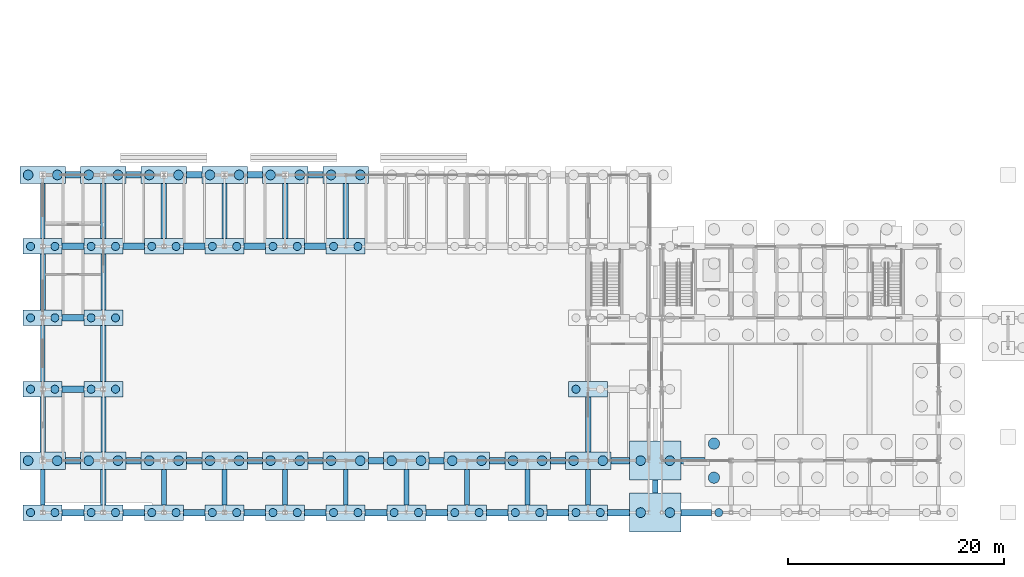
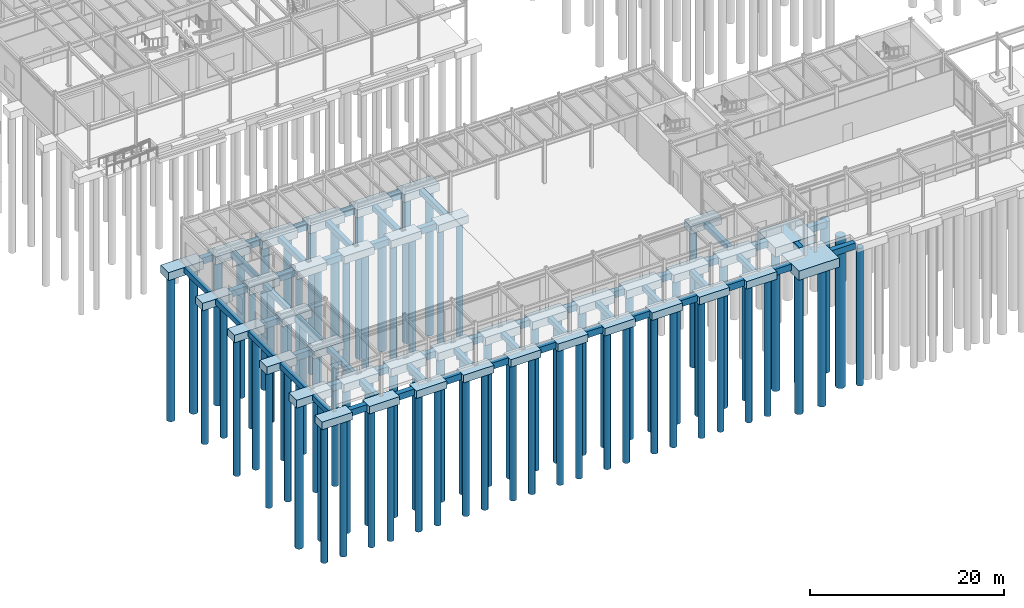
# One storey, part 1 of 82: 97 footings, 80 piles.
"""IFC4 building model written with IfcOpenShell, lengths in metres."""

from ifc_helpers import new_model, si_unit, direction, frame, origin, origin_2d, place, context, subcontext, project, spatial, rectangle, circle, extrude, material, material_profile, profile_set, type_object, element, save


model = new_model("IFC4")

# Units and contexts
model_context = context("Model", 3, precision=1e-05, world=origin(), true_north=direction((0.0, 1.0)))
body_context = subcontext(model_context, "Body", "Model", "MODEL_VIEW")
ifc_project = project(units=[si_unit("LENGTHUNIT", "METRE"), si_unit("AREAUNIT", "SQUARE_METRE"), si_unit("VOLUMEUNIT", "CUBIC_METRE"), si_unit("PLANEANGLEUNIT", "RADIAN"), si_unit("MASSUNIT", "GRAM", prefix="KILO")], contexts=[model_context])

# Site, building, storey
site_placement = place(None, origin())
site = spatial("IfcSite", under=ifc_project, at=site_placement, CompositionType="ELEMENT")
building_placement = place(site_placement, origin())
building = spatial("IfcBuilding", under=site, at=building_placement, Name="Trelmorton Wharf Fire Station", CompositionType="ELEMENT")
storey_placement = place(building_placement, origin())
storey = spatial("IfcBuildingStorey", under=building, at=storey_placement, Name="L00", CompositionType="ELEMENT", Elevation=0.0)

# Footings
ifc_material_1 = material(Name="Concrete 40 MPa", Category="concrete")
ifc_material_profile_1 = material_profile(ifc_material_1, rectangle(XDim=0.449951171875, YDim=0.64990234375, at=origin_2d()), Name="RC450x650")
ifc_profile_set_1 = profile_set([ifc_material_profile_1], Name="Concrete 40 MPa")
footing_type_1 = type_object("IfcFootingType", Name="GB_450x650", PredefinedType="FOOTING_BEAM", material=ifc_profile_set_1)
footing_1_placement = place(storey_placement, frame((0.800048828125, 3.72509765625, -0.675048828125), z_axis=(0.0, 1.0, 0.0), x_axis=(-1.0, 0.0, 0.0)))
element("IfcFooting", 1, at=footing_1_placement, inside=storey, type_object=footing_type_1, Name="FT-GB-199", PredefinedType="FOOTING_BEAM", context=body_context, shape_type="SweptSolid", body=[
    extrude(rectangle(XDim=0.449951171875, YDim=0.64990234375, at=origin_2d()), origin(), (0.0, 0.0, 1.0), 3.27490234375),
])
footing_2_placement = place(storey_placement, frame((0.800048828125, 15.125, -0.675048828125), z_axis=(0.0, 1.0, 0.0), x_axis=(-1.0, 0.0, 0.0)))
element("IfcFooting", 2, at=footing_2_placement, inside=storey, type_object=footing_type_1, Name="FT-GB-201", PredefinedType="FOOTING_BEAM", context=body_context, shape_type="SweptSolid", body=[
    extrude(rectangle(XDim=0.449951171875, YDim=0.64990234375, at=origin_2d()), origin(), (0.0, 0.0, 1.0), 5.14990234375),
])
for number, where, z_axis, x_axis, name in (
    (3, (0.800048828125, 28.324951171875, -0.675048828125), (0.0, 1.0, 0.0), (-1.0, 0.0, 0.0), "FT-GB-203"),
    (4, (6.39990234375, 8.60009765625, -0.675048828125), (0.0, 1.0, 0.0), (-1.0, 0.0, 0.0), "FT-GB-209"),
):
    element("IfcFooting", number, at=place(storey_placement, frame(where, z_axis=z_axis, x_axis=x_axis)), inside=storey, type_object=footing_type_1, Name=name, PredefinedType="FOOTING_BEAM", context=body_context, shape_type="SweptSolid", body=[
        extrude(rectangle(XDim=0.449951171875, YDim=0.64990234375, at=origin_2d()), origin(), (0.0, 0.0, 1.0), 5.074951171875),
    ])
footing_3_placement = place(storey_placement, frame((6.39990234375, 21.72509765625, -0.675048828125), z_axis=(0.0, 1.0, 0.0), x_axis=(-1.0, 0.0, 0.0)))
element("IfcFooting", 5, at=footing_3_placement, inside=storey, type_object=footing_type_1, Name="FT-GB-211", PredefinedType="FOOTING_BEAM", context=body_context, shape_type="SweptSolid", body=[
    extrude(rectangle(XDim=0.449951171875, YDim=0.64990234375, at=origin_2d()), origin(), (0.0, 0.0, 1.0), 5.14990234375),
])
for number, where, z_axis, x_axis, name in (
    (6, (12.0, 3.72509765625, -0.675048828125), (0.0, 1.0, 0.0), (-1.0, 0.0, 0.0), "FT-GB-217"),
    (7, (17.60009765625, 3.72509765625, -0.675048828125), (0.0, 1.0, 0.0), (-1.0, 0.0, 0.0), "FT-GB-223"),
    (8, (23.199951171875, 3.72509765625, -0.675048828125), (0.0, 1.0, 0.0), (-1.0, 0.0, 0.0), "FT-GB-229"),
    (9, (28.800048828125, 3.72509765625, -0.675048828125), (0.0, 1.0, 0.0), (-1.0, 0.0, 0.0), "FT-GB-235"),
    (10, (34.39990234375, 3.72509765625, -0.675048828125), (0.0, 1.0, 0.0), (-1.0, 0.0, 0.0), "FT-GB-241"),
    (11, (40.0, 3.72509765625, -0.675048828125), (0.0, 1.0, 0.0), (-1.0, 0.0, 0.0), "FT-GB-247"),
    (12, (45.60009765625, 3.72509765625, -0.675048828125), (0.0, 1.0, 0.0), (-1.0, 0.0, 0.0), "FT-GB-253"),
    (13, (51.199951171875, 3.72509765625, -0.675048828125), (0.0, 1.0, 0.0), (-1.0, 0.0, 0.0), "FT-GB-259"),
):
    element("IfcFooting", number, at=place(storey_placement, frame(where, z_axis=z_axis, x_axis=x_axis)), inside=storey, type_object=footing_type_1, Name=name, PredefinedType="FOOTING_BEAM", context=body_context, shape_type="SweptSolid", body=[
        extrude(rectangle(XDim=0.449951171875, YDim=0.64990234375, at=origin_2d()), origin(), (0.0, 0.0, 1.0), 3.27490234375),
    ])
ifc_material_profile_2 = material_profile(ifc_material_1, rectangle(XDim=0.5, YDim=0.699951171875, at=origin_2d()), Name="RC500x700")
ifc_profile_set_2 = profile_set([ifc_material_profile_2], Name="Concrete 40 MPa")
footing_type_2 = type_object("IfcFootingType", Name="GB_500x700", PredefinedType="FOOTING_BEAM", material=ifc_profile_set_2)
footing_4_placement = place(storey_placement, frame((0.800048828125, 8.60009765625, -0.699951171875), z_axis=(0.0, 1.0, 0.0), x_axis=(-1.0, 0.0, 0.0)))
element("IfcFooting", 14, at=footing_4_placement, inside=storey, type_object=footing_type_2, Name="FT-GB-200", PredefinedType="FOOTING_BEAM", context=body_context, shape_type="SweptSolid", body=[
    extrude(rectangle(XDim=0.5, YDim=0.699951171875, at=origin_2d()), origin(), (0.0, 0.0, 1.0), 5.074951171875),
])
footing_5_placement = place(storey_placement, frame((0.800048828125, 21.72509765625, -0.699951171875), z_axis=(0.0, 1.0, 0.0), x_axis=(-1.0, 0.0, 0.0)))
element("IfcFooting", 15, at=footing_5_placement, inside=storey, type_object=footing_type_2, Name="FT-GB-202", PredefinedType="FOOTING_BEAM", context=body_context, shape_type="SweptSolid", body=[
    extrude(rectangle(XDim=0.5, YDim=0.699951171875, at=origin_2d()), origin(), (0.0, 0.0, 1.0), 5.14990234375),
])
footing_6_placement = place(storey_placement, frame((6.39990234375, 3.72509765625, -0.699951171875), z_axis=(0.0, 1.0, 0.0), x_axis=(-1.0, 0.0, 0.0)))
element("IfcFooting", 16, at=footing_6_placement, inside=storey, type_object=footing_type_2, Name="FT-GB-208", PredefinedType="FOOTING_BEAM", context=body_context, shape_type="SweptSolid", body=[
    extrude(rectangle(XDim=0.5, YDim=0.699951171875, at=origin_2d()), origin(), (0.0, 0.0, 1.0), 3.27490234375),
])
footing_7_placement = place(storey_placement, frame((6.39990234375, 15.125, -0.699951171875), z_axis=(0.0, 1.0, 0.0), x_axis=(-1.0, 0.0, 0.0)))
element("IfcFooting", 17, at=footing_7_placement, inside=storey, type_object=footing_type_2, Name="FT-GB-210", PredefinedType="FOOTING_BEAM", context=body_context, shape_type="SweptSolid", body=[
    extrude(rectangle(XDim=0.5, YDim=0.699951171875, at=origin_2d()), origin(), (0.0, 0.0, 1.0), 5.14990234375),
])
for number, where, z_axis, x_axis, name in (
    (18, (6.39990234375, 28.324951171875, -0.699951171875), (0.0, 1.0, 0.0), (-1.0, 0.0, 0.0), "FT-GB-212"),
    (19, (12.0, 28.324951171875, -0.699951171875), (0.0, 1.0, 0.0), (-1.0, 0.0, 0.0), "FT-GB-218"),
    (20, (17.60009765625, 28.324951171875, -0.699951171875), (0.0, 1.0, 0.0), (-1.0, 0.0, 0.0), "FT-GB-224"),
    (21, (23.199951171875, 28.324951171875, -0.699951171875), (0.0, 1.0, 0.0), (-1.0, 0.0, 0.0), "FT-GB-230"),
    (22, (28.800048828125, 28.324951171875, -0.699951171875), (0.0, 1.0, 0.0), (-1.0, 0.0, 0.0), "FT-GB-236"),
    (23, (51.199951171875, 8.60009765625, -0.699951171875), (0.0, 1.0, 0.0), (-1.0, 0.0, 0.0), "FT-GB-260"),
):
    element("IfcFooting", number, at=place(storey_placement, frame(where, z_axis=z_axis, x_axis=x_axis)), inside=storey, type_object=footing_type_2, Name=name, PredefinedType="FOOTING_BEAM", context=body_context, shape_type="SweptSolid", body=[
        extrude(rectangle(XDim=0.5, YDim=0.699951171875, at=origin_2d()), origin(), (0.0, 0.0, 1.0), 5.074951171875),
    ])
footing_8_placement = place(storey_placement, frame((57.39990234375, 4.800048828125, -0.699951171875), z_axis=(0.0, 1.0, 0.0), x_axis=(-1.0, 0.0, 0.0)))
element("IfcFooting", 24, at=footing_8_placement, inside=storey, type_object=footing_type_2, Name="FT-GB-264", PredefinedType="FOOTING_BEAM", context=body_context, shape_type="SweptSolid", body=[
    extrude(rectangle(XDim=0.5, YDim=0.699951171875, at=origin_2d()), origin(), (0.0, 0.0, 1.0), 1.199951171875),
])
ifc_material_profile_3 = material_profile(ifc_material_1, rectangle(XDim=0.60009765625, YDim=0.800048828125, at=origin_2d()), Name="RC600x800")
ifc_profile_set_3 = profile_set([ifc_material_profile_3], Name="Concrete 40 MPa")
footing_type_3 = type_object("IfcFootingType", Name="GB_600x800", PredefinedType="FOOTING_BEAM", material=ifc_profile_set_3)
for number, where, z_axis, x_axis, name in (
    (25, (2.60009765625, 3.0, -0.75), (1.0, 0.0, 0.0), (0.0, 1.0, 0.0), "FT-GB-001"),
    (26, (8.199951171875, 3.0, -0.75), (1.0, 0.0, 0.0), (0.0, 1.0, 0.0), "FT-GB-002"),
    (27, (13.800048828125, 3.0, -0.75), (1.0, 0.0, 0.0), (0.0, 1.0, 0.0), "FT-GB-003"),
    (28, (19.39990234375, 3.0, -0.75), (1.0, 0.0, 0.0), (0.0, 1.0, 0.0), "FT-GB-004"),
    (29, (25.0, 3.0, -0.75), (1.0, 0.0, 0.0), (0.0, 1.0, 0.0), "FT-GB-005"),
    (30, (30.60009765625, 3.0, -0.75), (1.0, 0.0, 0.0), (0.0, 1.0, 0.0), "FT-GB-006"),
    (31, (36.199951171875, 3.0, -0.75), (1.0, 0.0, 0.0), (0.0, 1.0, 0.0), "FT-GB-007"),
    (32, (41.800048828125, 3.0, -0.75), (1.0, 0.0, 0.0), (0.0, 1.0, 0.0), "FT-GB-008"),
    (33, (47.39990234375, 3.0, -0.75), (1.0, 0.0, 0.0), (0.0, 1.0, 0.0), "FT-GB-009"),
    (34, (53.0, 3.0, -0.75), (1.0, 0.0, 0.0), (0.0, 1.0, 0.0), "FT-GB-010"),
):
    element("IfcFooting", number, at=place(storey_placement, frame(where, z_axis=z_axis, x_axis=x_axis)), inside=storey, type_object=footing_type_3, Name=name, PredefinedType="FOOTING_BEAM", context=body_context, shape_type="SweptSolid", body=[
        extrude(rectangle(XDim=0.60009765625, YDim=0.800048828125, at=origin_2d()), origin(), (0.0, 0.0, 1.0), 2.0),
    ])
footing_9_placement = place(storey_placement, frame((59.800048828125, 3.0, -0.75), z_axis=(1.0, 0.0, 0.0), x_axis=(0.0, 1.0, 0.0)))
element("IfcFooting", 35, at=footing_9_placement, inside=storey, type_object=footing_type_3, Name="FT-GB-011", PredefinedType="FOOTING_BEAM", context=body_context, shape_type="SweptSolid", body=[
    extrude(rectangle(XDim=0.60009765625, YDim=0.800048828125, at=origin_2d()), origin(), (0.0, 0.0, 1.0), 2.800048828125),
])
footing_10_placement = place(storey_placement, frame((2.89990234375, 7.800048828125, -0.75), z_axis=(1.0, 0.0, 0.0), x_axis=(0.0, 1.0, 0.0)))
element("IfcFooting", 36, at=footing_10_placement, inside=storey, type_object=footing_type_3, Name="FT-GB-024", PredefinedType="FOOTING_BEAM", context=body_context, shape_type="SweptSolid", body=[
    extrude(rectangle(XDim=0.60009765625, YDim=0.800048828125, at=origin_2d()), origin(), (0.0, 0.0, 1.0), 1.400146484375),
])
for number, where, z_axis, x_axis, name in (
    (37, (8.5, 7.800048828125, -0.75), (1.0, 0.0, 0.0), (0.0, 1.0, 0.0), "FT-GB-025"),
    (38, (14.10009765625, 7.800048828125, -0.75), (1.0, 0.0, 0.0), (0.0, 1.0, 0.0), "FT-GB-026"),
):
    element("IfcFooting", number, at=place(storey_placement, frame(where, z_axis=z_axis, x_axis=x_axis)), inside=storey, type_object=footing_type_3, Name=name, PredefinedType="FOOTING_BEAM", context=body_context, shape_type="SweptSolid", body=[
        extrude(rectangle(XDim=0.60009765625, YDim=0.800048828125, at=origin_2d()), origin(), (0.0, 0.0, 1.0), 1.39990234375),
    ])
footing_11_placement = place(storey_placement, frame((19.699951171875, 7.800048828125, -0.75), z_axis=(1.0, 0.0, 0.0), x_axis=(0.0, 1.0, 0.0)))
element("IfcFooting", 39, at=footing_11_placement, inside=storey, type_object=footing_type_3, Name="FT-GB-027", PredefinedType="FOOTING_BEAM", context=body_context, shape_type="SweptSolid", body=[
    extrude(rectangle(XDim=0.60009765625, YDim=0.800048828125, at=origin_2d()), origin(), (0.0, 0.0, 1.0), 1.400146484375),
])
footing_12_placement = place(storey_placement, frame((25.300048828125, 7.800048828125, -0.75), z_axis=(1.0, 0.0, 0.0), x_axis=(0.0, 1.0, 0.0)))
element("IfcFooting", 40, at=footing_12_placement, inside=storey, type_object=footing_type_3, Name="FT-GB-028", PredefinedType="FOOTING_BEAM", context=body_context, shape_type="SweptSolid", body=[
    extrude(rectangle(XDim=0.60009765625, YDim=0.800048828125, at=origin_2d()), origin(), (0.0, 0.0, 1.0), 1.39990234375),
])
footing_13_placement = place(storey_placement, frame((30.89990234375, 7.800048828125, -0.75), z_axis=(1.0, 0.0, 0.0), x_axis=(0.0, 1.0, 0.0)))
element("IfcFooting", 41, at=footing_13_placement, inside=storey, type_object=footing_type_3, Name="FT-GB-029", PredefinedType="FOOTING_BEAM", context=body_context, shape_type="SweptSolid", body=[
    extrude(rectangle(XDim=0.60009765625, YDim=0.800048828125, at=origin_2d()), origin(), (0.0, 0.0, 1.0), 1.400146484375),
])
for number, where, z_axis, x_axis, name in (
    (42, (36.5, 7.800048828125, -0.75), (1.0, 0.0, 0.0), (0.0, 1.0, 0.0), "FT-GB-030"),
    (43, (42.10009765625, 7.800048828125, -0.75), (1.0, 0.0, 0.0), (0.0, 1.0, 0.0), "FT-GB-031"),
):
    element("IfcFooting", number, at=place(storey_placement, frame(where, z_axis=z_axis, x_axis=x_axis)), inside=storey, type_object=footing_type_3, Name=name, PredefinedType="FOOTING_BEAM", context=body_context, shape_type="SweptSolid", body=[
        extrude(rectangle(XDim=0.60009765625, YDim=0.800048828125, at=origin_2d()), origin(), (0.0, 0.0, 1.0), 1.39990234375),
    ])
footing_14_placement = place(storey_placement, frame((47.699951171875, 7.800048828125, -0.75), z_axis=(1.0, 0.0, 0.0), x_axis=(0.0, 1.0, 0.0)))
element("IfcFooting", 44, at=footing_14_placement, inside=storey, type_object=footing_type_3, Name="FT-GB-032", PredefinedType="FOOTING_BEAM", context=body_context, shape_type="SweptSolid", body=[
    extrude(rectangle(XDim=0.60009765625, YDim=0.800048828125, at=origin_2d()), origin(), (0.0, 0.0, 1.0), 1.400146484375),
])
footing_15_placement = place(storey_placement, frame((53.300048828125, 7.800048828125, -0.75), z_axis=(1.0, 0.0, 0.0), x_axis=(0.0, 1.0, 0.0)))
element("IfcFooting", 45, at=footing_15_placement, inside=storey, type_object=footing_type_3, Name="FT-GB-033", PredefinedType="FOOTING_BEAM", context=body_context, shape_type="SweptSolid", body=[
    extrude(rectangle(XDim=0.60009765625, YDim=0.800048828125, at=origin_2d()), origin(), (0.0, 0.0, 1.0), 1.699951171875),
])
footing_16_placement = place(storey_placement, frame((59.800048828125, 7.800048828125, -0.75), z_axis=(1.0, 0.0, 0.0), x_axis=(0.0, 1.0, 0.0)))
element("IfcFooting", 46, at=footing_16_placement, inside=storey, type_object=footing_type_3, Name="FT-GB-034", PredefinedType="FOOTING_BEAM", context=body_context, shape_type="SweptSolid", body=[
    extrude(rectangle(XDim=0.60009765625, YDim=0.800048828125, at=origin_2d()), origin(), (0.0, 0.0, 1.0), 2.199951171875),
])
for number, where, z_axis, x_axis, name in (
    (47, (2.60009765625, 14.39990234375, -0.75), (1.0, 0.0, 0.0), (0.0, 1.0, 0.0), "FT-GB-047"),
    (48, (2.60009765625, 21.0, -0.75), (1.0, 0.0, 0.0), (0.0, 1.0, 0.0), "FT-GB-058"),
    (49, (2.60009765625, 27.60009765625, -0.75), (1.0, 0.0, 0.0), (0.0, 1.0, 0.0), "FT-GB-072"),
    (50, (8.199951171875, 27.60009765625, -0.75), (1.0, 0.0, 0.0), (0.0, 1.0, 0.0), "FT-GB-073"),
    (51, (13.800048828125, 27.60009765625, -0.75), (1.0, 0.0, 0.0), (0.0, 1.0, 0.0), "FT-GB-074"),
    (52, (19.39990234375, 27.60009765625, -0.75), (1.0, 0.0, 0.0), (0.0, 1.0, 0.0), "FT-GB-075"),
    (53, (25.0, 27.60009765625, -0.75), (1.0, 0.0, 0.0), (0.0, 1.0, 0.0), "FT-GB-076"),
):
    element("IfcFooting", number, at=place(storey_placement, frame(where, z_axis=z_axis, x_axis=x_axis)), inside=storey, type_object=footing_type_3, Name=name, PredefinedType="FOOTING_BEAM", context=body_context, shape_type="SweptSolid", body=[
        extrude(rectangle(XDim=0.60009765625, YDim=0.800048828125, at=origin_2d()), origin(), (0.0, 0.0, 1.0), 2.0),
    ])
footing_17_placement = place(storey_placement, frame((2.89990234375, 34.199951171875, -0.75), z_axis=(1.0, 0.0, 0.0), x_axis=(0.0, 1.0, 0.0)))
element("IfcFooting", 54, at=footing_17_placement, inside=storey, type_object=footing_type_3, Name="FT-GB-095", PredefinedType="FOOTING_BEAM", context=body_context, shape_type="SweptSolid", body=[
    extrude(rectangle(XDim=0.60009765625, YDim=0.800048828125, at=origin_2d()), origin(), (0.0, 0.0, 1.0), 1.400146484375),
])
for number, where, z_axis, x_axis, name in (
    (55, (8.5, 34.199951171875, -0.75), (1.0, 0.0, 0.0), (0.0, 1.0, 0.0), "FT-GB-096"),
    (56, (14.10009765625, 34.199951171875, -0.75), (1.0, 0.0, 0.0), (0.0, 1.0, 0.0), "FT-GB-097"),
):
    element("IfcFooting", number, at=place(storey_placement, frame(where, z_axis=z_axis, x_axis=x_axis)), inside=storey, type_object=footing_type_3, Name=name, PredefinedType="FOOTING_BEAM", context=body_context, shape_type="SweptSolid", body=[
        extrude(rectangle(XDim=0.60009765625, YDim=0.800048828125, at=origin_2d()), origin(), (0.0, 0.0, 1.0), 1.39990234375),
    ])
footing_18_placement = place(storey_placement, frame((19.699951171875, 34.199951171875, -0.75), z_axis=(1.0, 0.0, 0.0), x_axis=(0.0, 1.0, 0.0)))
element("IfcFooting", 57, at=footing_18_placement, inside=storey, type_object=footing_type_3, Name="FT-GB-098", PredefinedType="FOOTING_BEAM", context=body_context, shape_type="SweptSolid", body=[
    extrude(rectangle(XDim=0.60009765625, YDim=0.800048828125, at=origin_2d()), origin(), (0.0, 0.0, 1.0), 1.400146484375),
])
footing_19_placement = place(storey_placement, frame((25.300048828125, 34.199951171875, -0.75), z_axis=(1.0, 0.0, 0.0), x_axis=(0.0, 1.0, 0.0)))
element("IfcFooting", 58, at=footing_19_placement, inside=storey, type_object=footing_type_3, Name="FT-GB-099", PredefinedType="FOOTING_BEAM", context=body_context, shape_type="SweptSolid", body=[
    extrude(rectangle(XDim=0.60009765625, YDim=0.800048828125, at=origin_2d()), origin(), (0.0, 0.0, 1.0), 1.39990234375),
])
footing_type_4 = type_object("IfcFootingType", Name="PC_2P_750_W", PredefinedType="PILE_CAP", material=ifc_material_1)
for number, where, z_axis, x_axis, name in (
    (59, (0.800048828125, 3.0, -1.2998046875), (0.0, 0.0, 1.0), (1.0, 0.0, 0.0), "FT-CAP-001"),
    (60, (0.800048828125, 14.39990234375, -1.2998046875), (0.0, 0.0, 1.0), (1.0, 0.0, 0.0), "FT-CAP-003"),
    (61, (0.800048828125, 21.0, -1.2998046875), (0.0, 0.0, 1.0), (1.0, 0.0, 0.0), "FT-CAP-004"),
    (62, (0.800048828125, 27.60009765625, -1.2998046875), (0.0, 0.0, 1.0), (1.0, 0.0, 0.0), "FT-CAP-005"),
    (63, (6.39990234375, 3.0, -1.2998046875), (0.0, 0.0, 1.0), (1.0, 0.0, 0.0), "FT-CAP-012"),
    (64, (6.39990234375, 14.39990234375, -1.2998046875), (0.0, 0.0, 1.0), (1.0, 0.0, 0.0), "FT-CAP-014"),
    (65, (6.39990234375, 21.0, -1.2998046875), (0.0, 0.0, 1.0), (1.0, 0.0, 0.0), "FT-CAP-015"),
    (66, (6.39990234375, 27.60009765625, -1.2998046875), (0.0, 0.0, 1.0), (1.0, 0.0, 0.0), "FT-CAP-016"),
    (67, (12.0, 3.0, -1.2998046875), (0.0, 0.0, 1.0), (1.0, 0.0, 0.0), "FT-CAP-023"),
    (68, (12.0, 27.60009765625, -1.2998046875), (0.0, 0.0, 1.0), (1.0, 0.0, 0.0), "FT-CAP-025"),
    (69, (17.60009765625, 3.0, -1.2998046875), (0.0, 0.0, 1.0), (1.0, 0.0, 0.0), "FT-CAP-032"),
    (70, (17.60009765625, 27.60009765625, -1.2998046875), (0.0, 0.0, 1.0), (1.0, 0.0, 0.0), "FT-CAP-034"),
    (71, (23.199951171875, 3.0, -1.2998046875), (0.0, 0.0, 1.0), (1.0, 0.0, 0.0), "FT-CAP-041"),
    (72, (23.199951171875, 27.60009765625, -1.2998046875), (0.0, 0.0, 1.0), (1.0, 0.0, 0.0), "FT-CAP-043"),
    (73, (28.800048828125, 3.0, -1.2998046875), (0.0, 0.0, 1.0), (1.0, 0.0, 0.0), "FT-CAP-050"),
    (74, (28.800048828125, 27.60009765625, -1.2998046875), (0.0, 0.0, 1.0), (1.0, 0.0, 0.0), "FT-CAP-052"),
    (75, (34.39990234375, 3.0, -1.2998046875), (0.0, 0.0, 1.0), (1.0, 0.0, 0.0), "FT-CAP-059"),
    (76, (40.0, 3.0, -1.2998046875), (0.0, 0.0, 1.0), (1.0, 0.0, 0.0), "FT-CAP-068"),
    (77, (45.60009765625, 3.0, -1.2998046875), (0.0, 0.0, 1.0), (1.0, 0.0, 0.0), "FT-CAP-077"),
    (78, (51.199951171875, 3.0, -1.2998046875), (0.0, 0.0, 1.0), (1.0, 0.0, 0.0), "FT-CAP-086"),
    (79, (51.199951171875, 14.39990234375, -1.2998046875), (0.0, 0.0, 1.0), (1.0, 0.0, 0.0), "FT-CAP-088"),
):
    element("IfcFooting", number, at=place(storey_placement, frame(where, z_axis=z_axis, x_axis=x_axis)), inside=storey, type_object=footing_type_4, Name=name, PredefinedType="PILE_CAP", context=body_context, shape_type="SweptSolid", body=[
        extrude(rectangle(XDim=3.60009765625, YDim=1.449951171875, at=origin_2d()), origin(), (0.0, 0.0, 1.0), 0.949951171875),
    ])
footing_type_5 = type_object("IfcFootingType", Name="PC_2P_900_W", PredefinedType="PILE_CAP", material=ifc_material_1)
for number, where, z_axis, x_axis, name in (
    (80, (0.800048828125, 7.800048828125, -1.35009765625), (0.0, 0.0, 1.0), (1.0, 0.0, 0.0), "FT-CAP-002"),
    (81, (0.800048828125, 34.199951171875, -1.35009765625), (0.0, 0.0, 1.0), (1.0, 0.0, 0.0), "FT-CAP-006"),
    (82, (6.39990234375, 7.800048828125, -1.35009765625), (0.0, 0.0, 1.0), (1.0, 0.0, 0.0), "FT-CAP-013"),
    (83, (6.39990234375, 34.199951171875, -1.35009765625), (0.0, 0.0, 1.0), (1.0, 0.0, 0.0), "FT-CAP-017"),
    (84, (12.0, 7.800048828125, -1.35009765625), (0.0, 0.0, 1.0), (1.0, 0.0, 0.0), "FT-CAP-024"),
    (85, (12.0, 34.199951171875, -1.35009765625), (0.0, 0.0, 1.0), (1.0, 0.0, 0.0), "FT-CAP-026"),
    (86, (17.60009765625, 7.800048828125, -1.35009765625), (0.0, 0.0, 1.0), (1.0, 0.0, 0.0), "FT-CAP-033"),
    (87, (17.60009765625, 34.199951171875, -1.35009765625), (0.0, 0.0, 1.0), (1.0, 0.0, 0.0), "FT-CAP-035"),
    (88, (23.199951171875, 7.800048828125, -1.35009765625), (0.0, 0.0, 1.0), (1.0, 0.0, 0.0), "FT-CAP-042"),
    (89, (23.199951171875, 34.199951171875, -1.35009765625), (0.0, 0.0, 1.0), (1.0, 0.0, 0.0), "FT-CAP-044"),
    (90, (28.800048828125, 7.800048828125, -1.35009765625), (0.0, 0.0, 1.0), (1.0, 0.0, 0.0), "FT-CAP-051"),
    (91, (28.800048828125, 34.199951171875, -1.35009765625), (0.0, 0.0, 1.0), (1.0, 0.0, 0.0), "FT-CAP-053"),
    (92, (34.39990234375, 7.800048828125, -1.35009765625), (0.0, 0.0, 1.0), (1.0, 0.0, 0.0), "FT-CAP-060"),
    (93, (40.0, 7.800048828125, -1.35009765625), (0.0, 0.0, 1.0), (1.0, 0.0, 0.0), "FT-CAP-069"),
    (94, (45.60009765625, 7.800048828125, -1.35009765625), (0.0, 0.0, 1.0), (1.0, 0.0, 0.0), "FT-CAP-078"),
    (95, (51.199951171875, 7.800048828125, -1.35009765625), (0.0, 0.0, 1.0), (1.0, 0.0, 0.0), "FT-CAP-087"),
):
    element("IfcFooting", number, at=place(storey_placement, frame(where, z_axis=z_axis, x_axis=x_axis)), inside=storey, type_object=footing_type_5, Name=name, PredefinedType="PILE_CAP", context=body_context, shape_type="SweptSolid", body=[
        extrude(rectangle(XDim=4.199951171875, YDim=1.60009765625, at=origin_2d()), origin(), (0.0, 0.0, 1.0), 1.0),
    ])
footing_type_6 = type_object("IfcFootingType", Name="PC_SJ_480x360", PredefinedType="PILE_CAP", material=ifc_material_1)
for number, where, z_axis, x_axis, name in (
    (96, (57.39990234375, 3.0, -1.5), (0.0, 0.0, 1.0), (1.0, 0.0, 0.0), "FT-CAP-092"),
    (97, (57.39990234375, 7.800048828125, -1.5), (0.0, 0.0, 1.0), (1.0, 0.0, 0.0), "FT-CAP-093"),
):
    element("IfcFooting", number, at=place(storey_placement, frame(where, z_axis=z_axis, x_axis=x_axis)), inside=storey, type_object=footing_type_6, Name=name, PredefinedType="PILE_CAP", context=body_context, shape_type="SweptSolid", body=[
        extrude(rectangle(XDim=4.800048828125, YDim=3.60009765625, at=origin_2d()), origin(), (0.0, 0.0, 1.0), 1.14990234375),
    ])

# Piles
ifc_material_2 = material(Name="Concrete 45 MPa", Category="concrete")
ifc_material_profile_4 = material_profile(ifc_material_2, circle(Radius=0.52490234375, at=origin_2d()), Name="PILE-D1050")
ifc_profile_set_4 = profile_set([ifc_material_profile_4], Name="Concrete 45 MPa")
pile_type_1 = type_object("IfcPileType", Name="PILE_D1050", PredefinedType="BORED", material=ifc_profile_set_4)
for number, where, z_axis, x_axis, name in (
    (98, (62.824951171875, 6.22509765625, -1.5), (0.0, 0.0, -1.0), (1.0, 0.0, 0.0), "PL-0197"),
    (99, (62.824951171875, 9.375, -1.5), (0.0, 0.0, -1.0), (1.0, 0.0, 0.0), "PL-0199"),
):
    element("IfcPile", number, at=place(storey_placement, frame(where, z_axis=z_axis, x_axis=x_axis)), inside=storey, type_object=pile_type_1, Name=name, PredefinedType="BORED", context=body_context, shape_type="SweptSolid", body=[
        extrude(circle(Radius=0.52490234375, at=origin_2d()), origin(), (0.0, 0.0, 1.0), 19.0),
    ])
ifc_material_profile_5 = material_profile(ifc_material_2, circle(Radius=0.375, at=origin_2d()), Name="PILE-D750")
ifc_profile_set_5 = profile_set([ifc_material_profile_5], Name="Concrete 45 MPa")
pile_type_2 = type_object("IfcPileType", Name="PILE_D750", PredefinedType="BORED", material=ifc_profile_set_5)
for number, where, z_axis, x_axis, name in (
    (100, (-0.324951171875, 3.0, -1.199951171875), (0.0, 0.0, -1.0), (1.0, 0.0, 0.0), "PL-0001"),
    (101, (1.925048828125, 3.0, -1.199951171875), (0.0, 0.0, -1.0), (1.0, 0.0, 0.0), "PL-0002"),
    (102, (-0.324951171875, 14.39990234375, -1.199951171875), (0.0, 0.0, -1.0), (1.0, 0.0, 0.0), "PL-0005"),
    (103, (1.925048828125, 14.39990234375, -1.199951171875), (0.0, 0.0, -1.0), (1.0, 0.0, 0.0), "PL-0006"),
    (104, (-0.324951171875, 21.0, -1.199951171875), (0.0, 0.0, -1.0), (1.0, 0.0, 0.0), "PL-0007"),
    (105, (1.925048828125, 21.0, -1.199951171875), (0.0, 0.0, -1.0), (1.0, 0.0, 0.0), "PL-0008"),
    (106, (-0.324951171875, 27.60009765625, -1.199951171875), (0.0, 0.0, -1.0), (1.0, 0.0, 0.0), "PL-0009"),
    (107, (1.925048828125, 27.60009765625, -1.199951171875), (0.0, 0.0, -1.0), (1.0, 0.0, 0.0), "PL-0010"),
    (108, (5.27490234375, 3.0, -1.199951171875), (0.0, 0.0, -1.0), (1.0, 0.0, 0.0), "PL-0023"),
    (109, (7.52490234375, 3.0, -1.199951171875), (0.0, 0.0, -1.0), (1.0, 0.0, 0.0), "PL-0024"),
    (110, (5.27490234375, 14.39990234375, -1.199951171875), (0.0, 0.0, -1.0), (1.0, 0.0, 0.0), "PL-0027"),
    (111, (7.52490234375, 14.39990234375, -1.199951171875), (0.0, 0.0, -1.0), (1.0, 0.0, 0.0), "PL-0028"),
    (112, (5.27490234375, 21.0, -1.199951171875), (0.0, 0.0, -1.0), (1.0, 0.0, 0.0), "PL-0029"),
    (113, (7.52490234375, 21.0, -1.199951171875), (0.0, 0.0, -1.0), (1.0, 0.0, 0.0), "PL-0030"),
    (114, (5.27490234375, 27.60009765625, -1.199951171875), (0.0, 0.0, -1.0), (1.0, 0.0, 0.0), "PL-0031"),
    (115, (7.52490234375, 27.60009765625, -1.199951171875), (0.0, 0.0, -1.0), (1.0, 0.0, 0.0), "PL-0032"),
    (116, (10.875, 3.0, -1.199951171875), (0.0, 0.0, -1.0), (1.0, 0.0, 0.0), "PL-0045"),
    (117, (13.125, 3.0, -1.199951171875), (0.0, 0.0, -1.0), (1.0, 0.0, 0.0), "PL-0046"),
    (118, (10.875, 27.60009765625, -1.199951171875), (0.0, 0.0, -1.0), (1.0, 0.0, 0.0), "PL-0049"),
    (119, (13.125, 27.60009765625, -1.199951171875), (0.0, 0.0, -1.0), (1.0, 0.0, 0.0), "PL-0050"),
    (120, (16.47509765625, 3.0, -1.199951171875), (0.0, 0.0, -1.0), (1.0, 0.0, 0.0), "PL-0063"),
    (121, (18.72509765625, 3.0, -1.199951171875), (0.0, 0.0, -1.0), (1.0, 0.0, 0.0), "PL-0064"),
    (122, (16.47509765625, 27.60009765625, -1.199951171875), (0.0, 0.0, -1.0), (1.0, 0.0, 0.0), "PL-0067"),
    (123, (18.72509765625, 27.60009765625, -1.199951171875), (0.0, 0.0, -1.0), (1.0, 0.0, 0.0), "PL-0068"),
    (124, (22.074951171875, 3.0, -1.199951171875), (0.0, 0.0, -1.0), (1.0, 0.0, 0.0), "PL-0081"),
    (125, (24.324951171875, 3.0, -1.199951171875), (0.0, 0.0, -1.0), (1.0, 0.0, 0.0), "PL-0082"),
    (126, (22.074951171875, 27.60009765625, -1.199951171875), (0.0, 0.0, -1.0), (1.0, 0.0, 0.0), "PL-0085"),
    (127, (24.324951171875, 27.60009765625, -1.199951171875), (0.0, 0.0, -1.0), (1.0, 0.0, 0.0), "PL-0086"),
    (128, (27.675048828125, 3.0, -1.199951171875), (0.0, 0.0, -1.0), (1.0, 0.0, 0.0), "PL-0099"),
    (129, (29.925048828125, 3.0, -1.199951171875), (0.0, 0.0, -1.0), (1.0, 0.0, 0.0), "PL-0100"),
    (130, (27.675048828125, 27.60009765625, -1.199951171875), (0.0, 0.0, -1.0), (1.0, 0.0, 0.0), "PL-0103"),
    (131, (29.925048828125, 27.60009765625, -1.199951171875), (0.0, 0.0, -1.0), (1.0, 0.0, 0.0), "PL-0104"),
    (132, (33.27490234375, 3.0, -1.199951171875), (0.0, 0.0, -1.0), (1.0, 0.0, 0.0), "PL-0117"),
    (133, (35.52490234375, 3.0, -1.199951171875), (0.0, 0.0, -1.0), (1.0, 0.0, 0.0), "PL-0118"),
    (134, (38.875, 3.0, -1.199951171875), (0.0, 0.0, -1.0), (1.0, 0.0, 0.0), "PL-0135"),
    (135, (41.125, 3.0, -1.199951171875), (0.0, 0.0, -1.0), (1.0, 0.0, 0.0), "PL-0136"),
    (136, (44.47509765625, 3.0, -1.199951171875), (0.0, 0.0, -1.0), (1.0, 0.0, 0.0), "PL-0153"),
    (137, (46.72509765625, 3.0, -1.199951171875), (0.0, 0.0, -1.0), (1.0, 0.0, 0.0), "PL-0154"),
    (138, (50.074951171875, 3.0, -1.199951171875), (0.0, 0.0, -1.0), (1.0, 0.0, 0.0), "PL-0171"),
    (139, (52.324951171875, 3.0, -1.199951171875), (0.0, 0.0, -1.0), (1.0, 0.0, 0.0), "PL-0172"),
    (140, (50.074951171875, 14.39990234375, -1.199951171875), (0.0, 0.0, -1.0), (1.0, 0.0, 0.0), "PL-0175"),
    (141, (63.27490234375, 3.0, -1.199951171875), (0.0, 0.0, -1.0), (1.0, 0.0, 0.0), "PL-0195"),
):
    element("IfcPile", number, at=place(storey_placement, frame(where, z_axis=z_axis, x_axis=x_axis)), inside=storey, type_object=pile_type_2, Name=name, PredefinedType="BORED", context=body_context, shape_type="SweptSolid", body=[
        extrude(circle(Radius=0.375, at=origin_2d()), origin(), (0.0, 0.0, 1.0), 17.300048828125),
    ])
ifc_material_profile_6 = material_profile(ifc_material_2, circle(Radius=0.449951171875, at=origin_2d()), Name="PILE-D900")
ifc_profile_set_6 = profile_set([ifc_material_profile_6], Name="Concrete 45 MPa")
pile_type_3 = type_object("IfcPileType", Name="PILE_D900", PredefinedType="BORED", material=ifc_profile_set_6)
for number, where, z_axis, x_axis, name in (
    (142, (-0.550048828125, 7.800048828125, -1.25), (0.0, 0.0, -1.0), (1.0, 0.0, 0.0), "PL-0003"),
    (143, (2.14990234375, 7.800048828125, -1.25), (0.0, 0.0, -1.0), (1.0, 0.0, 0.0), "PL-0004"),
    (144, (-0.550048828125, 34.199951171875, -1.25), (0.0, 0.0, -1.0), (1.0, 0.0, 0.0), "PL-0011"),
    (145, (2.14990234375, 34.199951171875, -1.25), (0.0, 0.0, -1.0), (1.0, 0.0, 0.0), "PL-0012"),
    (146, (5.050048828125, 7.800048828125, -1.25), (0.0, 0.0, -1.0), (1.0, 0.0, 0.0), "PL-0025"),
    (147, (7.75, 7.800048828125, -1.25), (0.0, 0.0, -1.0), (1.0, 0.0, 0.0), "PL-0026"),
    (148, (5.050048828125, 34.199951171875, -1.25), (0.0, 0.0, -1.0), (1.0, 0.0, 0.0), "PL-0033"),
    (149, (7.75, 34.199951171875, -1.25), (0.0, 0.0, -1.0), (1.0, 0.0, 0.0), "PL-0034"),
    (150, (10.64990234375, 7.800048828125, -1.25), (0.0, 0.0, -1.0), (1.0, 0.0, 0.0), "PL-0047"),
    (151, (13.35009765625, 7.800048828125, -1.25), (0.0, 0.0, -1.0), (1.0, 0.0, 0.0), "PL-0048"),
    (152, (10.64990234375, 34.199951171875, -1.25), (0.0, 0.0, -1.0), (1.0, 0.0, 0.0), "PL-0051"),
    (153, (13.35009765625, 34.199951171875, -1.25), (0.0, 0.0, -1.0), (1.0, 0.0, 0.0), "PL-0052"),
    (154, (16.25, 7.800048828125, -1.25), (0.0, 0.0, -1.0), (1.0, 0.0, 0.0), "PL-0065"),
    (155, (18.949951171875, 7.800048828125, -1.25), (0.0, 0.0, -1.0), (1.0, 0.0, 0.0), "PL-0066"),
    (156, (16.25, 34.199951171875, -1.25), (0.0, 0.0, -1.0), (1.0, 0.0, 0.0), "PL-0069"),
    (157, (18.949951171875, 34.199951171875, -1.25), (0.0, 0.0, -1.0), (1.0, 0.0, 0.0), "PL-0070"),
    (158, (21.85009765625, 7.800048828125, -1.25), (0.0, 0.0, -1.0), (1.0, 0.0, 0.0), "PL-0083"),
    (159, (24.550048828125, 7.800048828125, -1.25), (0.0, 0.0, -1.0), (1.0, 0.0, 0.0), "PL-0084"),
    (160, (21.85009765625, 34.199951171875, -1.25), (0.0, 0.0, -1.0), (1.0, 0.0, 0.0), "PL-0087"),
    (161, (24.550048828125, 34.199951171875, -1.25), (0.0, 0.0, -1.0), (1.0, 0.0, 0.0), "PL-0088"),
    (162, (27.449951171875, 7.800048828125, -1.25), (0.0, 0.0, -1.0), (1.0, 0.0, 0.0), "PL-0101"),
    (163, (30.14990234375, 7.800048828125, -1.25), (0.0, 0.0, -1.0), (1.0, 0.0, 0.0), "PL-0102"),
    (164, (27.449951171875, 34.199951171875, -1.25), (0.0, 0.0, -1.0), (1.0, 0.0, 0.0), "PL-0105"),
    (165, (30.14990234375, 34.199951171875, -1.25), (0.0, 0.0, -1.0), (1.0, 0.0, 0.0), "PL-0106"),
    (166, (33.050048828125, 7.800048828125, -1.25), (0.0, 0.0, -1.0), (1.0, 0.0, 0.0), "PL-0119"),
    (167, (35.75, 7.800048828125, -1.25), (0.0, 0.0, -1.0), (1.0, 0.0, 0.0), "PL-0120"),
    (168, (38.64990234375, 7.800048828125, -1.25), (0.0, 0.0, -1.0), (1.0, 0.0, 0.0), "PL-0137"),
    (169, (41.35009765625, 7.800048828125, -1.25), (0.0, 0.0, -1.0), (1.0, 0.0, 0.0), "PL-0138"),
    (170, (44.25, 7.800048828125, -1.25), (0.0, 0.0, -1.0), (1.0, 0.0, 0.0), "PL-0155"),
    (171, (46.949951171875, 7.800048828125, -1.25), (0.0, 0.0, -1.0), (1.0, 0.0, 0.0), "PL-0156"),
    (172, (49.85009765625, 7.800048828125, -1.25), (0.0, 0.0, -1.0), (1.0, 0.0, 0.0), "PL-0173"),
    (173, (52.550048828125, 7.800048828125, -1.25), (0.0, 0.0, -1.0), (1.0, 0.0, 0.0), "PL-0174"),
):
    element("IfcPile", number, at=place(storey_placement, frame(where, z_axis=z_axis, x_axis=x_axis)), inside=storey, type_object=pile_type_3, Name=name, PredefinedType="BORED", context=body_context, shape_type="SweptSolid", body=[
        extrude(circle(Radius=0.449951171875, at=origin_2d()), origin(), (0.0, 0.0, 1.0), 18.25),
    ])
for number, where, z_axis, x_axis, name in (
    (174, (56.050048828125, 3.0, -1.39990234375), (0.0, 0.0, -1.0), (1.0, 0.0, 0.0), "PL-0183"),
    (175, (58.75, 3.0, -1.39990234375), (0.0, 0.0, -1.0), (1.0, 0.0, 0.0), "PL-0184"),
    (176, (56.050048828125, 7.800048828125, -1.39990234375), (0.0, 0.0, -1.0), (1.0, 0.0, 0.0), "PL-0185"),
    (177, (58.75, 7.800048828125, -1.39990234375), (0.0, 0.0, -1.0), (1.0, 0.0, 0.0), "PL-0186"),
):
    element("IfcPile", number, at=place(storey_placement, frame(where, z_axis=z_axis, x_axis=x_axis)), inside=storey, type_object=pile_type_3, Name=name, PredefinedType="BORED", context=body_context, shape_type="SweptSolid", body=[
        extrude(circle(Radius=0.449951171875, at=origin_2d()), origin(), (0.0, 0.0, 1.0), 18.10009765625),
    ])

save(model, "model.ifc")
